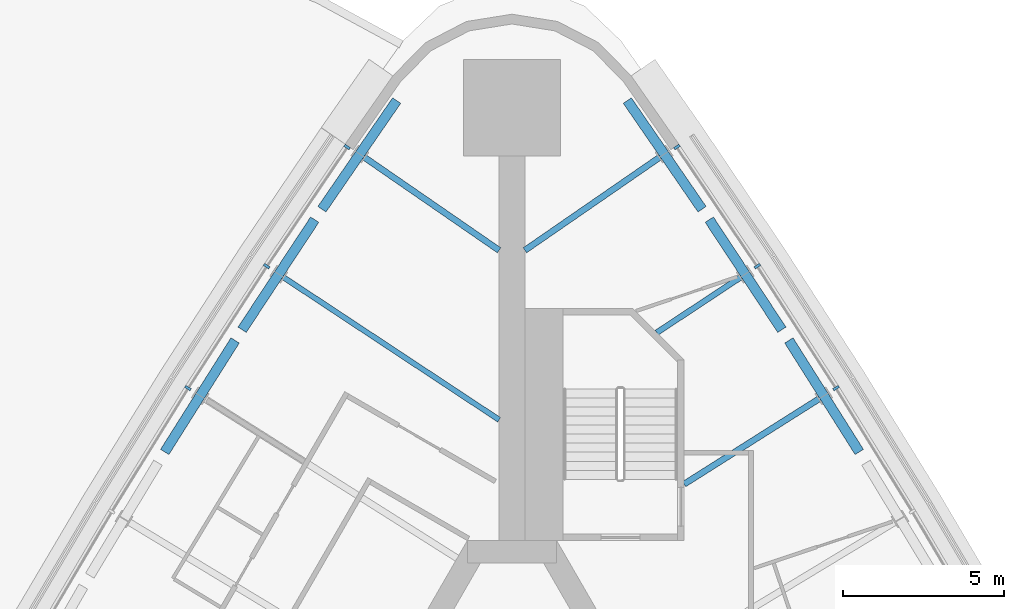
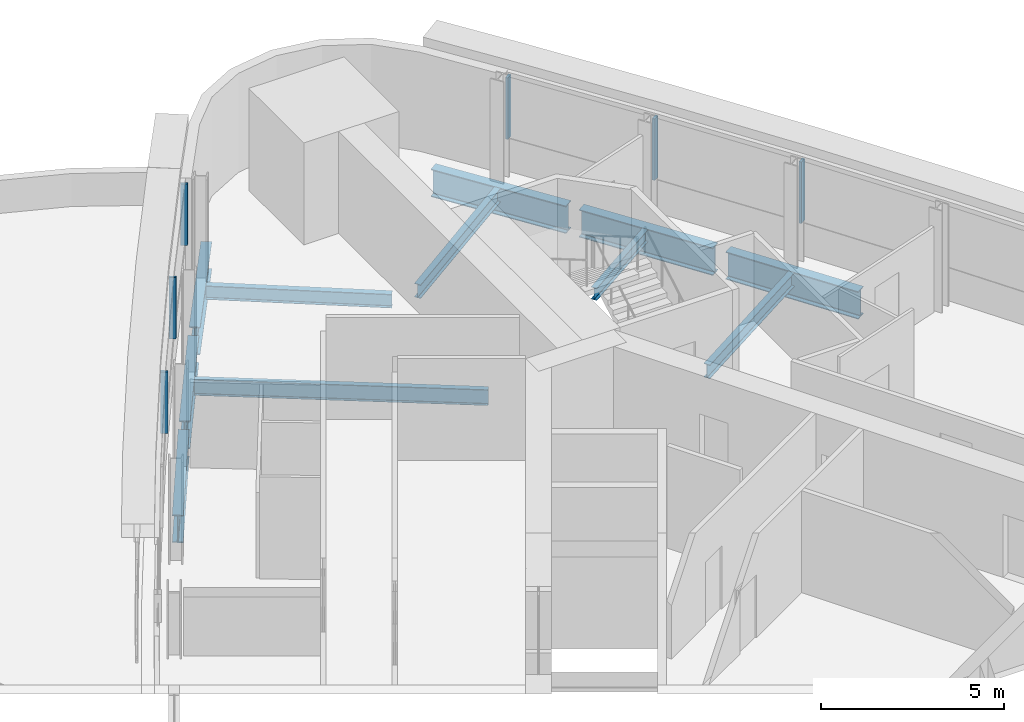
# One storey, part 5 of 12: 11 beams, 6 members, 2 elements without a shape of their own.
"""IFC4 building model written with IfcOpenShell, lengths in metres."""

import ifcopenshell
import ifcopenshell.guid

model = None  # the IFC model being written
_history = None  # IfcOwnerHistory: only IFC2X3 demands one
_inside = {}  # id of a spatial element -> (the spatial element, [elements in it])
_under = {}  # id of a project, library or spatial element -> (it, [spatial elements below it])
_declared = {}  # id of a project -> (the project, [libraries it declares])
_typed = {}  # id of a type object -> (the type object, [elements of that type])
_made_of = {}  # id of a material, layer set ... -> (it, [elements and type objects made of it])


def new_model(schema):
    """Start an empty IFC model of exactly this schema.

    Asked for "IFC4X3", IfcOpenShell would pick the latest addendum, in which some entities
    have other attributes; the version numbers below select the first issue.
    IFC2X3 requires an IfcOwnerHistory on every rooted entity: one is made here for all.
    """
    global model, _history
    if schema == "IFC4X3":
        model = ifcopenshell.file(schema_version=(4, 3, 0, 0))
    else:
        model = ifcopenshell.file(schema=schema)
    _inside.clear()
    _under.clear()
    _declared.clear()
    _typed.clear()
    _made_of.clear()
    _history = None
    if model.schema == "IFC2X3":
        org = make("IfcOrganization", Name="unknown")
        user = make(
            "IfcPersonAndOrganization",
            ThePerson=make("IfcPerson", FamilyName="unknown"),
            TheOrganization=org,
        )
        app = make(
            "IfcApplication",
            ApplicationDeveloper=org,
            Version="unknown",
            ApplicationFullName="unknown",
            ApplicationIdentifier="unknown",
        )
        _history = make(
            "IfcOwnerHistory",
            OwningUser=user,
            OwningApplication=app,
            ChangeAction="ADDED",
            CreationDate=0,
        )
    return model


def make(cls, **values):
    """One entity of the class cls with the attributes given. An attribute that is None is left unset."""
    return model.create_entity(
        cls, **{name: value for name, value in values.items() if value is not None}
    )


def rooted(cls, **values):
    """An entity with a GlobalId (a new one), such as an element, a storey or a relation."""
    return make(cls, GlobalId=ifcopenshell.guid.new(), OwnerHistory=_history, **values)


def si_unit(unit_type, name, prefix=None):
    """IfcSIUnit, for example si_unit("LENGTHUNIT", "METRE", prefix="MILLI")."""
    return make("IfcSIUnit", UnitType=unit_type, Prefix=prefix, Name=name)


def assignment(units):
    """IfcUnitAssignment: the units of a project."""
    return None if units is None else make("IfcUnitAssignment", Units=units)


def point(xyz):
    """IfcCartesianPoint."""
    return None if xyz is None else make("IfcCartesianPoint", Coordinates=xyz)


def direction(xyz):
    """IfcDirection."""
    return None if xyz is None else make("IfcDirection", DirectionRatios=xyz)


def frame(location, z_axis=None, x_axis=None):
    """IfcAxis2Placement3D, a coordinate frame: its origin and axes. An axis left out is left unset."""
    return make(
        "IfcAxis2Placement3D",
        Location=point(location),
        Axis=direction(z_axis),
        RefDirection=direction(x_axis),
    )


def frame_2d(location, x_axis=None):
    """IfcAxis2Placement2D, a coordinate frame in the plane: its origin and x axis."""
    return make(
        "IfcAxis2Placement2D", Location=point(location), RefDirection=direction(x_axis)
    )


def origin():
    """The frame at (0, 0, 0) with its axes left unset."""
    return frame((0.0, 0.0, 0.0))


def origin_2d():
    """The frame at (0, 0) in the plane with its x axis left unset."""
    return frame_2d((0.0, 0.0))


def place(relative_to, where):
    """IfcLocalPlacement: puts the frame where relative to a parent placement (None: the world)."""
    return make(
        "IfcLocalPlacement", PlacementRelTo=relative_to, RelativePlacement=where
    )


def context(
    kind, dimensions, precision=None, world=None, true_north=None, identifier=None
):
    """IfcGeometricRepresentationContext, for example the 3D "Model" context."""
    return make(
        "IfcGeometricRepresentationContext",
        ContextIdentifier=identifier,
        ContextType=kind,
        CoordinateSpaceDimension=dimensions,
        Precision=precision,
        WorldCoordinateSystem=world,
        TrueNorth=true_north,
    )


def subcontext(parent, identifier, kind, view, scale=None):
    """IfcGeometricRepresentationSubContext, for example "Body" below "Model"."""
    return make(
        "IfcGeometricRepresentationSubContext",
        ContextIdentifier=identifier,
        ContextType=kind,
        ParentContext=parent,
        TargetScale=scale,
        TargetView=view,
    )


def project(units=None, contexts=None):
    """IfcProject with its units and contexts."""
    return rooted(
        "IfcProject",
        Name="project",
        RepresentationContexts=contexts,
        UnitsInContext=assignment(units),
    )


def spatial(cls, under=None, at=None, **own):
    """A site, building, storey or space (cls), placed at a placement, below another one or the project."""
    s = rooted(cls, ObjectPlacement=at, **own)
    if under is not None:
        _under.setdefault(under.id(), (under, []))[1].append(s)
    return s


def profile(cls, at=None, kind="AREA", **sizes):
    """A parametric profile (cls). Its sizes go by their IFC names, for example OverallWidth=200.0."""
    return make(cls, ProfileType=kind, Position=at, **sizes)


def rectangle(**sizes):
    """IfcRectangleProfileDef."""
    return profile("IfcRectangleProfileDef", **sizes)


def i_section(**sizes):
    """IfcIShapeProfileDef."""
    return profile("IfcIShapeProfileDef", **sizes)


def extrude(swept, where, along, depth):
    """IfcExtrudedAreaSolid: the profile swept, set in the frame where, extruded along a direction by depth."""
    return make(
        "IfcExtrudedAreaSolid",
        SweptArea=swept,
        Position=where,
        ExtrudedDirection=direction(along),
        Depth=depth,
    )


def shape(context_of_items, identifier, shape_type, items):
    """IfcShapeRepresentation: the items that make up one representation, for example the "Body"."""
    return make(
        "IfcShapeRepresentation",
        ContextOfItems=context_of_items,
        RepresentationIdentifier=identifier,
        RepresentationType=shape_type,
        Items=items,
    )


def material(Name=None, Category=None):
    """IfcMaterial."""
    return make("IfcMaterial", Name=Name, Category=Category)


def material_profile(
    of_material, cross_section, Name=None, Category=None, Priority=None
):
    """IfcMaterialProfile: a cross section and its material."""
    return make(
        "IfcMaterialProfile",
        Name=Name,
        Material=of_material,
        Profile=cross_section,
        Priority=Priority,
        Category=Category,
    )


def profile_set(profiles, Name=None, composite=None):
    """IfcMaterialProfileSet."""
    return make(
        "IfcMaterialProfileSet",
        Name=Name,
        MaterialProfiles=profiles,
        CompositeProfile=composite,
    )


def made_of(thing, what):
    """Note that an element or type object is made of a material, layer set ...; save() writes the relation."""
    if what is not None:
        _made_of.setdefault(what.id(), (what, []))[1].append(thing)
    return thing


def type_object(cls, material=None, **own):
    """A type object (cls), such as IfcWallType, which elements share."""
    return made_of(rooted(cls, **own), material)


def element(
    cls,
    number,
    at=None,
    inside=None,
    cuts=None,
    type_object=None,
    material=None,
    context=None,
    identifier="Body",
    shape_type=None,
    held_by="IfcProductDefinitionShape",
    body=None,
    shapes=None,
    **own,
):
    """One element of the class cls, such as IfcWall. Its Tag is "e" and its number.

    at: its placement. inside: the storey or other place that contains it. cuts: it is an
    opening in that element (IfcRelVoidsElement). A single representation is given by context,
    identifier, shape_type and body (its items); several are given by shapes. held_by: the class
    of the entity that holds the representations. save() writes the other relations.
    """
    e = rooted(cls, Tag="e%d" % number, ObjectPlacement=at, **own)
    if body is not None:
        shapes = [shape(context, identifier, shape_type, body)]
    if shapes is not None:
        e.Representation = make(held_by, Representations=shapes)
    if inside is not None:
        _inside.setdefault(inside.id(), (inside, []))[1].append(e)
    if cuts is not None:
        rooted(
            "IfcRelVoidsElement", RelatingBuildingElement=cuts, RelatedOpeningElement=e
        )
    if type_object is not None:
        _typed.setdefault(type_object.id(), (type_object, []))[1].append(e)
    return made_of(e, material)


def aggregate(whole, parts):
    """IfcRelAggregates: a whole, such as a stair, and the parts it consists of."""
    return rooted("IfcRelAggregates", RelatingObject=whole, RelatedObjects=parts)


def save(model, path):
    """Write the relations noted so far, then the file.

    IfcRelAggregates (storeys below a building ...), IfcRelContainedInSpatialStructure (elements
    in a storey), IfcRelDefinesByType, IfcRelAssociatesMaterial and IfcRelDeclares: one each for
    every whole, place, type object, material and project.
    """
    for whole, parts in _under.values():
        aggregate(whole, parts)
    for where, things in _inside.values():
        rooted(
            "IfcRelContainedInSpatialStructure",
            RelatedElements=things,
            RelatingStructure=where,
        )
    for kind, things in _typed.values():
        rooted("IfcRelDefinesByType", RelatedObjects=things, RelatingType=kind)
    for what, things in _made_of.values():
        rooted("IfcRelAssociatesMaterial", RelatedObjects=things, RelatingMaterial=what)
    for by, libraries in _declared.values():
        rooted("IfcRelDeclares", RelatingContext=by, RelatedDefinitions=libraries)
    model.write(path)


model = new_model("IFC4")

# Units and contexts
model_context = context("Model", 3, precision=1e-05, world=origin(), true_north=direction((0.0, 1.0)))
body_context = subcontext(model_context, "Body", "Model", "MODEL_VIEW")
ifc_project = project(units=[si_unit("LENGTHUNIT", "METRE"), si_unit("AREAUNIT", "SQUARE_METRE"), si_unit("VOLUMEUNIT", "CUBIC_METRE"), si_unit("PLANEANGLEUNIT", "RADIAN"), si_unit("MASSUNIT", "GRAM", prefix="KILO")], contexts=[model_context])

# Site, building, storey
site_placement = place(None, origin())
site = spatial("IfcSite", under=ifc_project, at=site_placement, CompositionType="ELEMENT")
building_placement = place(site_placement, origin())
building = spatial("IfcBuilding", under=site, at=building_placement, Name="Noor Cloister Tower", CompositionType="ELEMENT")
storey_placement = place(building_placement, frame((0.0, 0.0, 105.89990234375)))
storey = spatial("IfcBuildingStorey", under=building, at=storey_placement, Name="L27", CompositionType="ELEMENT", Elevation=105.89990234375)

# Curtain wall, members
ifc_material_1 = material(Name="Aluminium 6063-T6 anodised", Category="aluminium")
curtain_wall_type = type_object("IfcCurtainWallType", Name="Ribbon curtain wall, lower tower CW1", PredefinedType="NOTDEFINED", material=ifc_material_1)
curtain_wall_1_placement = place(storey_placement, origin())
curtain_wall_1 = element("IfcCurtainWall", 1, at=curtain_wall_1_placement, inside=storey, type_object=curtain_wall_type, Name="CW1 L27 NW run 1", PredefinedType="NOTDEFINED")
ifc_material_2 = material(Name="Aluminium 6063-T6 anodised", Category="aluminium")
ifc_material_profile_1 = material_profile(ifc_material_2, rectangle(XDim=0.199951171875, YDim=0.080078125, at=origin_2d()), Name="200 x 80 mullion")
ifc_profile_set_1 = profile_set([ifc_material_profile_1], Name="Aluminium 6063-T6 anodised")
member_type = type_object("IfcMemberType", Name="Mullion CW1 80 x 200", PredefinedType="MULLION", material=ifc_profile_set_1)
member_1_placement = place(storey_placement, frame((-5.1103515625, 23.65869140625, 1.10009765625), z_axis=(0.0, 0.0, 1.0), x_axis=(0.828778860089, -0.559576269216, 0.0)))
member_1 = element("IfcMember", 2, at=member_1_placement, type_object=member_type, Name="CW1 mullion 1", PredefinedType="MULLION", context=body_context, shape_type="SweptSolid", body=[
    extrude(rectangle(XDim=0.199951171875, YDim=0.080078125, at=origin_2d()), origin(), (0.0, 0.0, 1.0), 2.050048828125),
])
member_2_placement = place(storey_placement, frame((-7.60546875, 19.963134765625, 1.10009765625), z_axis=(0.0, 0.0, 1.0), x_axis=(0.834354797928, -0.551227785198, 0.0)))
member_2 = element("IfcMember", 3, at=member_2_placement, type_object=member_type, Name="CW1 mullion 2", PredefinedType="MULLION", context=body_context, shape_type="SweptSolid", body=[
    extrude(rectangle(XDim=0.199951171875, YDim=0.080078125, at=origin_2d()), origin(), (0.0, 0.0, 1.0), 2.050048828125),
])
member_3_placement = place(storey_placement, frame((-10.047119140625, 16.185546875, 1.10009765625), z_axis=(0.0, 0.0, 1.0), x_axis=(0.845253840567, -0.53436499231, 0.0)))
member_3 = element("IfcMember", 4, at=member_3_placement, type_object=member_type, Name="CW1 mullion 3", PredefinedType="MULLION", context=body_context, shape_type="SweptSolid", body=[
    extrude(rectangle(XDim=0.199951171875, YDim=0.080078125, at=origin_2d()), origin(), (0.0, 0.0, 1.0), 2.050048828125),
])
aggregate(curtain_wall_1, [member_1, member_2, member_3])

curtain_wall_2_placement = place(storey_placement, origin())
curtain_wall_2 = element("IfcCurtainWall", 5, at=curtain_wall_2_placement, inside=storey, type_object=curtain_wall_type, Name="CW1 L27 NE run 3", PredefinedType="NOTDEFINED")
member_4_placement = place(storey_placement, frame((10.047119140625, 16.185546875, 1.10009765625), z_axis=(0.0, 0.0, 1.0), x_axis=(-0.845253840567, -0.53436499231, 0.0)))
member_4 = element("IfcMember", 6, at=member_4_placement, type_object=member_type, Name="CW1 mullion 7", PredefinedType="MULLION", context=body_context, shape_type="SweptSolid", body=[
    extrude(rectangle(XDim=0.199951171875, YDim=0.080078125, at=origin_2d()), origin(), (0.0, 0.0, 1.0), 2.050048828125),
])
member_5_placement = place(storey_placement, frame((7.60546875, 19.963134765625, 1.10009765625), z_axis=(0.0, 0.0, 1.0), x_axis=(-0.834354797928, -0.551227785198, 0.0)))
member_5 = element("IfcMember", 7, at=member_5_placement, type_object=member_type, Name="CW1 mullion 8", PredefinedType="MULLION", context=body_context, shape_type="SweptSolid", body=[
    extrude(rectangle(XDim=0.199951171875, YDim=0.080078125, at=origin_2d()), origin(), (0.0, 0.0, 1.0), 2.050048828125),
])
member_6_placement = place(storey_placement, frame((5.1103515625, 23.65869140625, 1.10009765625), z_axis=(0.0, 0.0, 1.0), x_axis=(-0.828778860089, -0.559576269216, 0.0)))
member_6 = element("IfcMember", 8, at=member_6_placement, type_object=member_type, Name="CW1 mullion 9", PredefinedType="MULLION", context=body_context, shape_type="SweptSolid", body=[
    extrude(rectangle(XDim=0.199951171875, YDim=0.080078125, at=origin_2d()), origin(), (0.0, 0.0, 1.0), 2.050048828125),
])
aggregate(curtain_wall_2, [member_4, member_5, member_6])

# Beams
ifc_material_3 = material(Name="Steel ASTM A992 Gr 50", Category="steel")
ifc_material_profile_2 = material_profile(ifc_material_3, i_section(OverallWidth=0.177978515625, OverallDepth=0.406005859375, WebThickness=0.0078125, FlangeThickness=0.0126953125, FilletRadius=0.01025390625, at=origin_2d()), Name="W410x60")
ifc_profile_set_2 = profile_set([ifc_material_profile_2], Name="Steel ASTM A992 Gr 50")
beam_type_1 = type_object("IfcBeamType", Name="Radial beam W410x60", PredefinedType="BEAM", material=ifc_profile_set_2)
beam_1_placement = place(storey_placement, frame((7.102783203125, 19.631103515625, -0.40283203125), z_axis=(-0.834356436629, -0.551225304804, 0.0), x_axis=(0.551225304804, -0.834356436629, 0.0)))
element("IfcBeam", 9, at=beam_1_placement, inside=storey, type_object=beam_type_1, Name="Radial beam NE 08 L27", PredefinedType="BEAM", context=body_context, shape_type="SweptSolid", body=[
    extrude(i_section(OverallWidth=0.177978515625, OverallDepth=0.406005859375, WebThickness=0.0078125, FlangeThickness=0.0126953125, FilletRadius=0.01025390625, at=origin_2d()), origin(), (0.0, 0.0, 1.0), 3.133544921875),
])
ifc_material_4 = material(Name="Steel ASTM A992 Gr 50", Category="steel")
ifc_material_profile_3 = material_profile(ifc_material_4, i_section(OverallWidth=0.19091796875, OverallDepth=0.45703125, WebThickness=0.009033203125, FlangeThickness=0.014404296875, FilletRadius=0.01025390625, at=origin_2d()), Name="W460x74")
ifc_profile_set_3 = profile_set([ifc_material_profile_3], Name="Steel ASTM A992 Gr 50")
beam_type_2 = type_object("IfcBeamType", Name="Radial beam W460x74", PredefinedType="BEAM", material=ifc_profile_set_3)
beam_2_placement = place(storey_placement, frame((-4.5927734375, 23.348876953125, -0.428466796875), z_axis=(0.823126265377, -0.567858390135, 0.0), x_axis=(0.567858390135, 0.823126265377, 0.0)))
element("IfcBeam", 10, at=beam_2_placement, inside=storey, type_object=beam_type_2, Name="Radial beam NW 01 L27", PredefinedType="BEAM", context=body_context, shape_type="SweptSolid", body=[
    extrude(i_section(OverallWidth=0.19091796875, OverallDepth=0.45703125, WebThickness=0.009033203125, FlangeThickness=0.014404296875, FilletRadius=0.01025390625, at=origin_2d()), origin(), (0.0, 0.0, 1.0), 5.09375),
])
beam_3_placement = place(storey_placement, frame((9.537841796875, 15.86376953125, -0.428466796875), z_axis=(-0.845239091413, -0.53438832168, 0.0), x_axis=(0.53438832168, -0.845239091413, 0.0)))
element("IfcBeam", 11, at=beam_3_placement, inside=storey, type_object=beam_type_2, Name="Radial beam NE 07 L27", PredefinedType="BEAM", context=body_context, shape_type="SweptSolid", body=[
    extrude(i_section(OverallWidth=0.19091796875, OverallDepth=0.45703125, WebThickness=0.009033203125, FlangeThickness=0.014404296875, FilletRadius=0.01025390625, at=origin_2d()), origin(), (0.0, 0.0, 1.0), 4.971435546875),
])
beam_4_placement = place(storey_placement, frame((4.5927734375, 23.348876953125, -0.428466796875), z_axis=(-0.823126265377, -0.567858390135, 0.0), x_axis=(0.567858390135, -0.823126265377, 0.0)))
element("IfcBeam", 12, at=beam_4_placement, inside=storey, type_object=beam_type_2, Name="Radial beam NE 09 L27", PredefinedType="BEAM", context=body_context, shape_type="SweptSolid", body=[
    extrude(i_section(OverallWidth=0.19091796875, OverallDepth=0.45703125, WebThickness=0.009033203125, FlangeThickness=0.014404296875, FilletRadius=0.01025390625, at=origin_2d()), origin(), (0.0, 0.0, 1.0), 5.09375),
])
ifc_material_5 = material(Name="Steel ASTM A992 Gr 50", Category="steel")
ifc_material_profile_4 = material_profile(ifc_material_5, i_section(OverallWidth=0.166015625, OverallDepth=0.528076171875, WebThickness=0.009765625, FlangeThickness=0.013671875, FilletRadius=0.0126953125, at=origin_2d()), Name="W530x74")
ifc_profile_set_4 = profile_set([ifc_material_profile_4], Name="Steel ASTM A992 Gr 50")
beam_type_3 = type_object("IfcBeamType", Name="Radial beam W530x74", PredefinedType="BEAM", material=ifc_profile_set_4)
beam_5_placement = place(storey_placement, frame((-7.102783203125, 19.631103515625, -0.4638671875), z_axis=(0.834348049692, -0.551237999394, 0.0), x_axis=(0.551237999394, 0.834348049692, 0.0)))
element("IfcBeam", 13, at=beam_5_placement, inside=storey, type_object=beam_type_3, Name="Radial beam NW 02 L27", PredefinedType="BEAM", context=body_context, shape_type="SweptSolid", body=[
    extrude(i_section(OverallWidth=0.166015625, OverallDepth=0.528076171875, WebThickness=0.009765625, FlangeThickness=0.013671875, FilletRadius=0.0126953125, at=origin_2d()), origin(), (0.0, 0.0, 1.0), 8.03369140625),
])
ifc_material_6 = material(Name="Steel ASTM A992 Gr 50", Category="steel")
ifc_material_profile_5 = material_profile(ifc_material_6, i_section(OverallWidth=0.304931640625, OverallDepth=0.9189453125, WebThickness=0.017333984375, FlangeThickness=0.02783203125, FilletRadius=0.01904296875, at=origin_2d()), Name="W920x253")
ifc_profile_set_5 = profile_set([ifc_material_profile_5], Name="Steel ASTM A992 Gr 50")
beam_type_4 = type_object("IfcBeamType", Name="Transfer girder W920x253", PredefinedType="BEAM", material=ifc_profile_set_5)
beam_6_placement = place(storey_placement, frame((-3.57568359375, 25.09716796875, -0.659423828125), z_axis=(-0.566564305905, -0.8240175285, 0.0), x_axis=(0.8240175285, -0.566564305905, 0.0)))
element("IfcBeam", 14, at=beam_6_placement, inside=storey, type_object=beam_type_4, Name="Transfer girder NW 01 L27", PredefinedType="BEAM", context=body_context, shape_type="SweptSolid", body=[
    extrude(i_section(OverallWidth=0.304931640625, OverallDepth=0.9189453125, WebThickness=0.017333984375, FlangeThickness=0.02783203125, FilletRadius=0.01904296875, at=origin_2d()), origin(), (0.0, 0.0, 1.0), 4.088134765625),
])
beam_7_placement = place(storey_placement, frame((-6.11669921875, 21.405029296875, -0.659423828125), z_axis=(-0.550213055496, -0.835024307168, 0.0), x_axis=(0.835024307168, -0.550213055496, 0.0)))
element("IfcBeam", 15, at=beam_7_placement, inside=storey, type_object=beam_type_4, Name="Transfer girder NW 02 L27", PredefinedType="BEAM", context=body_context, shape_type="SweptSolid", body=[
    extrude(i_section(OverallWidth=0.304931640625, OverallDepth=0.9189453125, WebThickness=0.017333984375, FlangeThickness=0.02783203125, FilletRadius=0.01904296875, at=origin_2d()), origin(), (0.0, 0.0, 1.0), 4.087890625),
])
for number, where, z_axis, x_axis, name in (
    (16, (-8.5830078125, 17.662353515625, -0.659423828125), (-0.533703118947, -0.845671910865, 0.0), (0.845671910865, -0.533703118947, 0.0), "Transfer girder NW 03 L27"),
    (17, (10.764892578125, 14.205078125, -0.659423828125), (-0.533703118947, 0.845671910865, 0.0), (-0.845671910865, -0.533703118947, 0.0), "Transfer girder NE 07 L27"),
):
    element("IfcBeam", number, at=place(storey_placement, frame(where, z_axis=z_axis, x_axis=x_axis)), inside=storey, type_object=beam_type_4, Name=name, PredefinedType="BEAM", context=body_context, shape_type="SweptSolid", body=[
        extrude(i_section(OverallWidth=0.304931640625, OverallDepth=0.9189453125, WebThickness=0.017333984375, FlangeThickness=0.02783203125, FilletRadius=0.01904296875, at=origin_2d()), origin(), (0.0, 0.0, 1.0), 4.088134765625),
    ])
beam_8_placement = place(storey_placement, frame((8.365966796875, 17.991455078125, -0.659423828125), z_axis=(-0.550213055496, 0.835024307168, 0.0), x_axis=(-0.835024307168, -0.550213055496, 0.0)))
element("IfcBeam", 18, at=beam_8_placement, inside=storey, type_object=beam_type_4, Name="Transfer girder NE 08 L27", PredefinedType="BEAM", context=body_context, shape_type="SweptSolid", body=[
    extrude(i_section(OverallWidth=0.304931640625, OverallDepth=0.9189453125, WebThickness=0.017333984375, FlangeThickness=0.02783203125, FilletRadius=0.01904296875, at=origin_2d()), origin(), (0.0, 0.0, 1.0), 4.087890625),
])
beam_9_placement = place(storey_placement, frame((5.891845703125, 21.728515625, -0.659423828125), z_axis=(-0.566564305905, 0.8240175285, 0.0), x_axis=(-0.8240175285, -0.566564305905, 0.0)))
element("IfcBeam", 19, at=beam_9_placement, inside=storey, type_object=beam_type_4, Name="Transfer girder NE 09 L27", PredefinedType="BEAM", context=body_context, shape_type="SweptSolid", body=[
    extrude(i_section(OverallWidth=0.304931640625, OverallDepth=0.9189453125, WebThickness=0.017333984375, FlangeThickness=0.02783203125, FilletRadius=0.01904296875, at=origin_2d()), origin(), (0.0, 0.0, 1.0), 4.088134765625),
])

save(model, "model.ifc")
